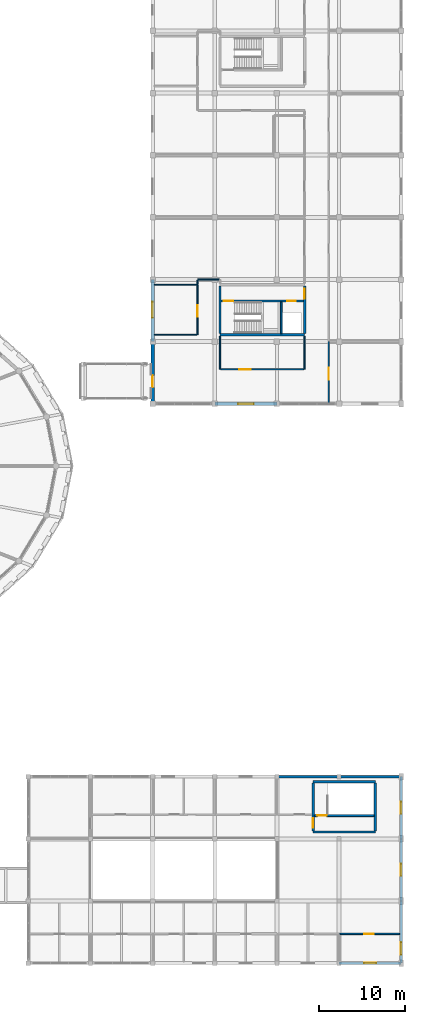
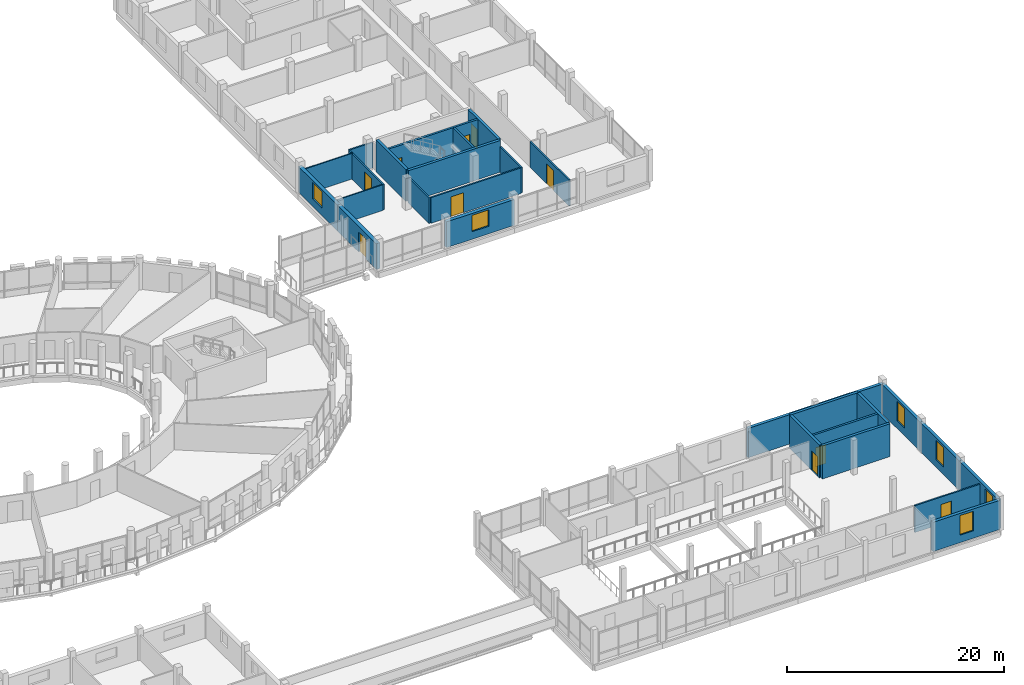
# One storey, part 117 of 128: 29 walls, 10 doors, 6 windows, 16 openings.
"""IFC4 building model written with IfcOpenShell, lengths in metres."""

from ifc_helpers import new_model, si_unit, direction, frame, frame_2d, origin, place, context, subcontext, project, spatial, rectangle, extrude, material, layer, layer_set, type_object, element, fill, save


model = new_model("IFC4")

# Units and contexts
model_context = context("Model", 3, precision=1e-05, world=origin(), true_north=direction((0.0, 1.0)))
body_context = subcontext(model_context, "Body", "Model", "MODEL_VIEW")
ifc_project = project(units=[si_unit("LENGTHUNIT", "METRE"), si_unit("AREAUNIT", "SQUARE_METRE"), si_unit("VOLUMEUNIT", "CUBIC_METRE"), si_unit("PLANEANGLEUNIT", "RADIAN"), si_unit("MASSUNIT", "GRAM", prefix="KILO")], contexts=[model_context])

# Site, building, storey
site_placement = place(None, origin())
site = spatial("IfcSite", under=ifc_project, at=site_placement, CompositionType="ELEMENT")
building_placement = place(site_placement, origin())
building = spatial("IfcBuilding", under=site, at=building_placement, Name="Zornivar Specialist Clinic", CompositionType="ELEMENT")
storey_placement = place(building_placement, frame((0.0, 0.0, 4.5)))
storey = spatial("IfcBuildingStorey", under=building, at=storey_placement, Name="L01", CompositionType="ELEMENT", Elevation=4.5)

# Wall, opening, window
ifc_material_1 = material(Name="Masonry Vratsa Limestone and Brick Banded Wall", Category="masonry")
ifc_layer_1 = layer(ifc_material_1, 0.3798828125)
ifc_layer_set_1 = layer_set([ifc_layer_1], Name="Masonry Vratsa Limestone and Brick Banded Wall")
wall_type_1 = type_object("IfcWallType", Name="EW-LIMESTONE-380", PredefinedType="SOLIDWALL", material=ifc_layer_set_1)
wall_1_placement = place(storey_placement, frame((144.0, 64.800048828125, 0.0), z_axis=(0.0, 0.0, 1.0), x_axis=(1.0, 0.0, 0.0)))
wall_1 = element("IfcWall", 1, at=wall_1_placement, inside=storey, type_object=wall_type_1, Name="ew:V6:L01:01", PredefinedType="SOLIDWALL", context=body_context, shape_type="SweptSolid", body=[
    extrude(rectangle(XDim=7.199951171875, YDim=0.3798828125, at=frame_2d((3.60009765625, 0.0))), origin(), (0.0, 0.0, 1.0), 2.909912109375),
])
opening_1_placement = place(wall_1_placement, frame((2.699951171875, 0.0, 0.85009765625)))
opening_1 = element("IfcOpeningElement", 2, at=opening_1_placement, cuts=wall_1, Name="Opening W-20", PredefinedType="OPENING", context=body_context, shape_type="SweptSolid", body=[
    extrude(rectangle(XDim=1.800048828125, YDim=1.85009765625, at=frame_2d((0.89990234375, 0.925048828125))), frame((0.0, 0.199951171875, 0.0), z_axis=(0.0, -1.0, 0.0), x_axis=(1.0, 0.0, 0.0)), (0.0, 0.0, 1.0), 0.39990234375),
])
ifc_material_2 = material(Name="Triple-Glazed Aluminium-Timber Window Glass", Category="wood")
window_type_1 = type_object("IfcWindowType", Name="WIN-LAB-LOWER-1800x1850", PartitioningType="SINGLE_PANEL", PredefinedType="WINDOW", material=ifc_material_2)
window_1_placement = place(opening_1_placement, origin())
window_1 = element("IfcWindow", 3, at=window_1_placement, inside=storey, type_object=window_type_1, Name="win:V6:L01:01", OverallHeight=1.85009765625, OverallWidth=1.800048828125, PartitioningType="SINGLE_PANEL", PredefinedType="WINDOW", context=body_context, shape_type="SweptSolid", body=[
    extrude(rectangle(XDim=1.800048828125, YDim=1.85009765625, at=frame_2d((0.89990234375, 0.925048828125))), frame((0.0, 0.030029296875, 0.0), z_axis=(0.0, -1.0, 0.0), x_axis=(1.0, 0.0, 0.0)), (0.0, 0.0, 1.0), 0.06005859375),
])
fill(opening_1, window_1)

wall_2_placement = place(storey_placement, frame((136.800048828125, 79.199951171875, 0.0), z_axis=(0.0, 0.0, 1.0), x_axis=(0.0, -1.0, 0.0)))
wall_2 = element("IfcWall", 4, at=wall_2_placement, inside=storey, type_object=wall_type_1, Name="ew:V6:L01:20", PredefinedType="SOLIDWALL", context=body_context, shape_type="SweptSolid", body=[
    extrude(rectangle(XDim=7.199951171875, YDim=0.3798828125, at=frame_2d((3.60009765625, 0.0))), origin(), (0.0, 0.0, 1.0), 2.909912109375),
])
opening_2_placement = place(wall_2_placement, frame((2.60009765625, 0.0, 0.85009765625)))
opening_2 = element("IfcOpeningElement", 5, at=opening_2_placement, cuts=wall_2, Name="Opening W-20", PredefinedType="OPENING", context=body_context, shape_type="SweptSolid", body=[
    extrude(rectangle(XDim=1.800048828125, YDim=1.85009765625, at=frame_2d((0.89990234375, 0.925048828125))), frame((0.0, 0.199951171875, 0.0), z_axis=(0.0, -1.0, 0.0), x_axis=(1.0, 0.0, 0.0)), (0.0, 0.0, 1.0), 0.39990234375),
])
window_2_placement = place(opening_2_placement, origin())
window_2 = element("IfcWindow", 6, at=window_2_placement, inside=storey, type_object=window_type_1, Name="win:V6:L01:20", OverallHeight=1.85009765625, OverallWidth=1.800048828125, PartitioningType="SINGLE_PANEL", PredefinedType="WINDOW", context=body_context, shape_type="SweptSolid", body=[
    extrude(rectangle(XDim=1.800048828125, YDim=1.85009765625, at=frame_2d((0.89990234375, 0.925048828125))), frame((0.0, 0.030029296875, 0.0), z_axis=(0.0, -1.0, 0.0), x_axis=(1.0, 0.0, 0.0)), (0.0, 0.0, 1.0), 0.06005859375),
])
fill(opening_2, window_2)

# Wall, opening, door
wall_3_placement = place(storey_placement, frame((136.800048828125, 72.0, 0.0), z_axis=(0.0, 0.0, 1.0), x_axis=(0.0, -1.0, 0.0)))
wall_3 = element("IfcWall", 7, at=wall_3_placement, inside=storey, type_object=wall_type_1, Name="ew:V6:L01:21", PredefinedType="SOLIDWALL", context=body_context, shape_type="SweptSolid", body=[
    extrude(rectangle(XDim=7.199951171875, YDim=0.3798828125, at=frame_2d((3.60009765625, 0.0))), origin(), (0.0, 0.0, 1.0), 2.909912109375),
])
opening_3_placement = place(wall_3_placement, frame((3.89990234375, 0.0, 0.0)))
opening_3 = element("IfcOpeningElement", 8, at=opening_3_placement, cuts=wall_3, Name="Opening TD-01", PredefinedType="OPENING", context=body_context, shape_type="SweptSolid", body=[
    extrude(rectangle(XDim=1.39990234375, YDim=2.25, at=frame_2d((0.699951171875, 1.125))), frame((0.0, 0.199951171875, 0.0), z_axis=(0.0, -1.0, 0.0), x_axis=(1.0, 0.0, 0.0)), (0.0, 0.0, 1.0), 0.39990234375),
])
ifc_material_3 = material(Name="Thermally Broken Glazed Aluminium Door", Category="aluminium")
door_type_1 = type_object("IfcDoorType", Name="TD-TERR-1400x2250", OperationType="NOTDEFINED", PredefinedType="DOOR", material=ifc_material_3)
door_1_placement = place(opening_3_placement, origin())
door_1 = element("IfcDoor", 9, at=door_1_placement, inside=storey, type_object=door_type_1, Name="door:V6:L01:br3", OperationType="SINGLE_SWING_RIGHT", OverallHeight=2.25, OverallWidth=1.39990234375, PredefinedType="DOOR", context=body_context, shape_type="SweptSolid", body=[
    extrude(rectangle(XDim=1.39990234375, YDim=2.25, at=frame_2d((0.699951171875, 1.125))), frame((0.0, 0.02490234375, 0.0), z_axis=(0.0, -1.0, 0.0), x_axis=(1.0, 0.0, 0.0)), (0.0, 0.0, 1.0), 0.050048828125),
])
fill(opening_3, door_1)

# Wall, opening, window
ifc_material_4 = material(Name="Masonry Healing Pavilion Coursed Limestone Wall", Category="masonry")
ifc_layer_2 = layer(ifc_material_4, 0.320068359375)
ifc_layer_set_2 = layer_set([ifc_layer_2], Name="Masonry Healing Pavilion Coursed Limestone Wall")
wall_type_2 = type_object("IfcWallType", Name="EW-PAV-320", PredefinedType="SOLIDWALL", material=ifc_layer_set_2)
wall_4_placement = place(storey_placement, frame((158.39990234375, 0.0, 0.0), z_axis=(0.0, 0.0, 1.0), x_axis=(1.0, 0.0, 0.0)))
wall_4 = element("IfcWall", 10, at=wall_4_placement, inside=storey, type_object=wall_type_2, Name="ew:V4:L01:05", PredefinedType="SOLIDWALL", context=body_context, shape_type="SweptSolid", body=[
    extrude(rectangle(XDim=7.2001953125, YDim=0.320068359375, at=frame_2d((3.60009765625, 0.0))), origin(), (0.0, 0.0, 1.0), 3.300048828125),
])
opening_4_placement = place(wall_4_placement, frame((2.89990234375, 0.0, 0.85009765625)))
opening_4 = element("IfcOpeningElement", 11, at=opening_4_placement, cuts=wall_4, Name="Opening W-15", PredefinedType="OPENING", context=body_context, shape_type="SweptSolid", body=[
    extrude(rectangle(XDim=1.39990234375, YDim=2.199951171875, at=frame_2d((0.699951171875, 1.10009765625))), frame((0.0, 0.169921875, 0.0), z_axis=(0.0, -1.0, 0.0), x_axis=(1.0, 0.0, 0.0)), (0.0, 0.0, 1.0), 0.340087890625),
])
ifc_material_5 = material(Name="Triple-Glazed Aluminium-Timber Window Glass", Category="wood")
window_type_2 = type_object("IfcWindowType", Name="WIN-PAV-GARDEN-1400x2200", PartitioningType="SINGLE_PANEL", PredefinedType="WINDOW", material=ifc_material_5)
window_3_placement = place(opening_4_placement, origin())
window_3 = element("IfcWindow", 12, at=window_3_placement, inside=storey, type_object=window_type_2, Name="win:V4:L01:05", OverallHeight=2.199951171875, OverallWidth=1.39990234375, PartitioningType="SINGLE_PANEL", PredefinedType="WINDOW", context=body_context, shape_type="SweptSolid", body=[
    extrude(rectangle(XDim=1.39990234375, YDim=2.199951171875, at=frame_2d((0.699951171875, 1.10009765625))), frame((0.0, 0.030029296875, 0.0), z_axis=(0.0, -1.0, 0.0), x_axis=(1.0, 0.0, 0.0)), (0.0, 0.0, 1.0), 0.06005859375),
])
fill(opening_4, window_3)

wall_5_placement = place(storey_placement, frame((165.60009765625, 0.0, 0.0), z_axis=(0.0, 0.0, 1.0), x_axis=(0.0, 1.0, 0.0)))
wall_5 = element("IfcWall", 13, at=wall_5_placement, inside=storey, type_object=wall_type_2, Name="ew:V4:L01:06", PredefinedType="SOLIDWALL", context=body_context, shape_type="SweptSolid", body=[
    extrude(rectangle(XDim=7.199951171875, YDim=0.320068359375, at=frame_2d((3.60009765625, 0.0))), origin(), (0.0, 0.0, 1.0), 3.300048828125),
])
opening_5_placement = place(wall_5_placement, frame((1.0, 0.0, 0.85009765625)))
opening_5 = element("IfcOpeningElement", 14, at=opening_5_placement, cuts=wall_5, Name="Opening W-15", PredefinedType="OPENING", context=body_context, shape_type="SweptSolid", body=[
    extrude(rectangle(XDim=1.39990234375, YDim=2.199951171875, at=frame_2d((0.699951171875, 1.10009765625))), frame((0.0, 0.169921875, 0.0), z_axis=(0.0, -1.0, 0.0), x_axis=(1.0, 0.0, 0.0)), (0.0, 0.0, 1.0), 0.340087890625),
])
window_4_placement = place(opening_5_placement, origin())
window_4 = element("IfcWindow", 15, at=window_4_placement, inside=storey, type_object=window_type_2, Name="win:V4:L01:06", OverallHeight=2.199951171875, OverallWidth=1.39990234375, PartitioningType="SINGLE_PANEL", PredefinedType="WINDOW", context=body_context, shape_type="SweptSolid", body=[
    extrude(rectangle(XDim=1.39990234375, YDim=2.199951171875, at=frame_2d((0.699951171875, 1.10009765625))), frame((0.0, 0.030029296875, 0.0), z_axis=(0.0, -1.0, 0.0), x_axis=(1.0, 0.0, 0.0)), (0.0, 0.0, 1.0), 0.06005859375),
])
fill(opening_5, window_4)

wall_6_placement = place(storey_placement, frame((165.60009765625, 7.199951171875, 0.0), z_axis=(0.0, 0.0, 1.0), x_axis=(0.0, 1.0, 0.0)))
wall_6 = element("IfcWall", 16, at=wall_6_placement, inside=storey, type_object=wall_type_2, Name="ew:V4:L01:07", PredefinedType="SOLIDWALL", context=body_context, shape_type="SweptSolid", body=[
    extrude(rectangle(XDim=7.199951171875, YDim=0.320068359375, at=frame_2d((3.60009765625, 0.0))), origin(), (0.0, 0.0, 1.0), 3.300048828125),
])
opening_6_placement = place(wall_6_placement, frame((2.89990234375, 0.0, 0.85009765625)))
opening_6 = element("IfcOpeningElement", 17, at=opening_6_placement, cuts=wall_6, Name="Opening W-15", PredefinedType="OPENING", context=body_context, shape_type="SweptSolid", body=[
    extrude(rectangle(XDim=1.39990234375, YDim=2.199951171875, at=frame_2d((0.699951171875, 1.10009765625))), frame((0.0, 0.169921875, 0.0), z_axis=(0.0, -1.0, 0.0), x_axis=(1.0, 0.0, 0.0)), (0.0, 0.0, 1.0), 0.340087890625),
])
window_5_placement = place(opening_6_placement, origin())
window_5 = element("IfcWindow", 18, at=window_5_placement, inside=storey, type_object=window_type_2, Name="win:V4:L01:07", OverallHeight=2.199951171875, OverallWidth=1.39990234375, PartitioningType="SINGLE_PANEL", PredefinedType="WINDOW", context=body_context, shape_type="SweptSolid", body=[
    extrude(rectangle(XDim=1.39990234375, YDim=2.199951171875, at=frame_2d((0.699951171875, 1.10009765625))), frame((0.0, 0.030029296875, 0.0), z_axis=(0.0, -1.0, 0.0), x_axis=(1.0, 0.0, 0.0)), (0.0, 0.0, 1.0), 0.06005859375),
])
fill(opening_6, window_5)

wall_7_placement = place(storey_placement, frame((165.60009765625, 14.39990234375, 0.0), z_axis=(0.0, 0.0, 1.0), x_axis=(0.0, 1.0, 0.0)))
wall_7 = element("IfcWall", 19, at=wall_7_placement, inside=storey, type_object=wall_type_2, Name="ew:V4:L01:08", PredefinedType="SOLIDWALL", context=body_context, shape_type="SweptSolid", body=[
    extrude(rectangle(XDim=7.2001953125, YDim=0.320068359375, at=frame_2d((3.60009765625, 0.0))), origin(), (0.0, 0.0, 1.0), 3.300048828125),
])
opening_7_placement = place(wall_7_placement, frame((2.89990234375, 0.0, 0.85009765625)))
opening_7 = element("IfcOpeningElement", 20, at=opening_7_placement, cuts=wall_7, Name="Opening W-15", PredefinedType="OPENING", context=body_context, shape_type="SweptSolid", body=[
    extrude(rectangle(XDim=1.39990234375, YDim=2.199951171875, at=frame_2d((0.699951171875, 1.10009765625))), frame((0.0, 0.169921875, 0.0), z_axis=(0.0, -1.0, 0.0), x_axis=(1.0, 0.0, 0.0)), (0.0, 0.0, 1.0), 0.340087890625),
])
window_6_placement = place(opening_7_placement, origin())
window_6 = element("IfcWindow", 21, at=window_6_placement, inside=storey, type_object=window_type_2, Name="win:V4:L01:08", OverallHeight=2.199951171875, OverallWidth=1.39990234375, PartitioningType="SINGLE_PANEL", PredefinedType="WINDOW", context=body_context, shape_type="SweptSolid", body=[
    extrude(rectangle(XDim=1.39990234375, YDim=2.199951171875, at=frame_2d((0.699951171875, 1.10009765625))), frame((0.0, 0.030029296875, 0.0), z_axis=(0.0, -1.0, 0.0), x_axis=(1.0, 0.0, 0.0)), (0.0, 0.0, 1.0), 0.06005859375),
])
fill(opening_7, window_6)

# Walls
wall_8_placement = place(storey_placement, frame((165.60009765625, 21.60009765625, 0.0), z_axis=(0.0, 0.0, 1.0), x_axis=(-1.0, 0.0, 0.0)))
element("IfcWall", 22, at=wall_8_placement, inside=storey, type_object=wall_type_2, Name="ew:V4:L01:09", PredefinedType="SOLIDWALL", context=body_context, shape_type="SweptSolid", body=[
    extrude(rectangle(XDim=7.2001953125, YDim=0.320068359375, at=frame_2d((3.60009765625, 0.0))), origin(), (0.0, 0.0, 1.0), 3.300048828125),
])
wall_9_placement = place(storey_placement, frame((158.39990234375, 21.60009765625, 0.0), z_axis=(0.0, 0.0, 1.0), x_axis=(-1.0, 0.0, 0.0)))
element("IfcWall", 23, at=wall_9_placement, inside=storey, type_object=wall_type_2, Name="ew:V4:L01:10", PredefinedType="SOLIDWALL", context=body_context, shape_type="SweptSolid", body=[
    extrude(rectangle(XDim=7.199951171875, YDim=0.320068359375, at=frame_2d((3.60009765625, 0.0))), origin(), (0.0, 0.0, 1.0), 3.300048828125),
])

# Wall, opening, door
ifc_material_6 = material(Name="Gypsum Fire-Rated Double Stud Partition")
ifc_layer_3 = layer(ifc_material_6, 0.159912109375)
ifc_layer_set_3 = layer_set([ifc_layer_3], Name="Gypsum Fire-Rated Double Stud Partition")
wall_type_3 = type_object("IfcWallType", Name="IW-CORR-EI60-160", PredefinedType="PARTITIONING", material=ifc_layer_set_3)
wall_10_placement = place(storey_placement, frame((158.48388671875, 3.39990234375, 0.0), z_axis=(0.0, 0.0, 1.0), x_axis=(1.0, 0.0, 0.0)))
wall_10 = element("IfcWall", 24, at=wall_10_placement, inside=storey, type_object=wall_type_3, Name="iw:L01:139", PredefinedType="PARTITIONING", context=body_context, shape_type="SweptSolid", body=[
    extrude(rectangle(XDim=6.941162109375, YDim=0.159912109375, at=frame_2d((3.470703125, 0.0))), origin(), (0.0, 0.0, 1.0), 3.030029296875),
])
opening_8_placement = place(wall_10_placement, frame((2.803955078125, 0.0, 0.0)))
opening_8 = element("IfcOpeningElement", 25, at=opening_8_placement, cuts=wall_10, Name="Opening ID-05", PredefinedType="OPENING", context=body_context, shape_type="SweptSolid", body=[
    extrude(rectangle(XDim=1.10009765625, YDim=2.199951171875, at=frame_2d((0.550048828125, 1.10009765625))), frame((0.0, 0.08984375, 0.0), z_axis=(0.0, -1.0, 0.0), x_axis=(1.0, 0.0, 0.0)), (0.0, 0.0, 1.0), 0.179931640625),
])
ifc_material_7 = material(Name="Solid-Core Hygienic Laminate Timber Door", Category="wood")
door_type_2 = type_object("IfcDoorType", Name="ID-THER-1100x2200", OperationType="NOTDEFINED", PredefinedType="DOOR", material=ifc_material_7)
door_2_placement = place(opening_8_placement, origin())
door_2 = element("IfcDoor", 26, at=door_2_placement, inside=storey, type_object=door_type_2, Name="door:space:V4:L01:rm:12", OperationType="SINGLE_SWING_RIGHT", OverallHeight=2.199951171875, OverallWidth=1.10009765625, PredefinedType="DOOR", context=body_context, shape_type="SweptSolid", body=[
    extrude(rectangle(XDim=1.10009765625, YDim=2.199951171875, at=frame_2d((0.550048828125, 1.10009765625))), frame((0.0, 0.02490234375, 0.0), z_axis=(0.0, -1.0, 0.0), x_axis=(1.0, 0.0, 0.0)), (0.0, 0.0, 1.0), 0.050048828125),
])
fill(opening_8, door_2)

# Walls
for number, where, z_axis, x_axis, name in (
    (27, (144.60009765625, 68.800048828125, 0.0), (0.0, 0.0, 1.0), (0.0, 1.0, 0.0), "iw:L01:156"),
    (28, (154.39990234375, 72.64501953125, 0.0), (0.0, 0.0, 1.0), (0.0, -1.0, 0.0), "iw:L01:157"),
):
    element("IfcWall", number, at=place(storey_placement, frame(where, z_axis=z_axis, x_axis=x_axis)), inside=storey, type_object=wall_type_3, Name=name, PredefinedType="PARTITIONING", context=body_context, shape_type="SweptSolid", body=[
        extrude(rectangle(XDim=3.844970703125, YDim=0.159912109375, at=frame_2d((1.92236328125, 0.0))), origin(), (0.0, 0.0, 1.0), 2.889892578125),
    ])

# Wall, opening, door
wall_11_placement = place(storey_placement, frame((154.305908203125, 68.800048828125, 0.0), z_axis=(0.0, 0.0, 1.0), x_axis=(-1.0, 0.0, 0.0)))
wall_11 = element("IfcWall", 29, at=wall_11_placement, inside=storey, type_object=wall_type_3, Name="iw:L01:158", PredefinedType="PARTITIONING", context=body_context, shape_type="SweptSolid", body=[
    extrude(rectangle(XDim=9.61181640625, YDim=0.159912109375, at=frame_2d((4.805908203125, 0.0))), origin(), (0.0, 0.0, 1.0), 2.889892578125),
])
opening_9_placement = place(wall_11_placement, frame((6.133056640625, 0.0, 0.0)))
opening_9 = element("IfcOpeningElement", 30, at=opening_9_placement, cuts=wall_11, Name="Opening ID-10", PredefinedType="OPENING", context=body_context, shape_type="SweptSolid", body=[
    extrude(rectangle(XDim=1.35009765625, YDim=2.25, at=frame_2d((0.675048828125, 1.125))), frame((0.0, 0.08984375, 0.0), z_axis=(0.0, -1.0, 0.0), x_axis=(1.0, 0.0, 0.0)), (0.0, 0.0, 1.0), 0.179931640625),
])
ifc_material_8 = material(Name="Solid-Core Hygienic Laminate Timber Door", Category="wood")
door_type_3 = type_object("IfcDoorType", Name="ID-TEACH-1350x2250", OperationType="NOTDEFINED", PredefinedType="DOOR", material=ifc_material_8)
door_3_placement = place(opening_9_placement, origin())
door_3 = element("IfcDoor", 31, at=door_3_placement, inside=storey, type_object=door_type_3, Name="door:space:V6:L01:rm:00", OperationType="SINGLE_SWING_LEFT", OverallHeight=2.25, OverallWidth=1.35009765625, PredefinedType="DOOR", context=body_context, shape_type="SweptSolid", body=[
    extrude(rectangle(XDim=1.35009765625, YDim=2.25, at=frame_2d((0.675048828125, 1.125))), frame((0.0, 0.02490234375, 0.0), z_axis=(0.0, -1.0, 0.0), x_axis=(1.0, 0.0, 0.0)), (0.0, 0.0, 1.0), 0.050048828125),
])
fill(opening_9, door_3)

wall_12_placement = place(storey_placement, frame((142.0, 78.52587890625, 0.0), z_axis=(0.0, 0.0, 1.0), x_axis=(0.0, -1.0, 0.0)))
wall_12 = element("IfcWall", 32, at=wall_12_placement, inside=storey, type_object=wall_type_3, Name="iw:L01:160", PredefinedType="PARTITIONING", context=body_context, shape_type="SweptSolid", body=[
    extrude(rectangle(XDim=5.725830078125, YDim=0.159912109375, at=frame_2d((2.86279296875, 0.0))), origin(), (0.0, 0.0, 1.0), 2.889892578125),
])
opening_10_placement = place(wall_12_placement, frame((2.302001953125, 0.0, 0.0)))
opening_10 = element("IfcOpeningElement", 33, at=opening_10_placement, cuts=wall_12, Name="Opening ID-10", PredefinedType="OPENING", context=body_context, shape_type="SweptSolid", body=[
    extrude(rectangle(XDim=1.35009765625, YDim=2.25, at=frame_2d((0.675048828125, 1.125))), frame((0.0, 0.08984375, 0.0), z_axis=(0.0, -1.0, 0.0), x_axis=(1.0, 0.0, 0.0)), (0.0, 0.0, 1.0), 0.179931640625),
])
door_4_placement = place(opening_10_placement, origin())
door_4 = element("IfcDoor", 34, at=door_4_placement, inside=storey, type_object=door_type_3, Name="door:space:V6:L01:rm:01", OperationType="SINGLE_SWING_RIGHT", OverallHeight=2.25, OverallWidth=1.35009765625, PredefinedType="DOOR", context=body_context, shape_type="SweptSolid", body=[
    extrude(rectangle(XDim=1.35009765625, YDim=2.25, at=frame_2d((0.675048828125, 1.125))), frame((0.0, 0.02490234375, 0.0), z_axis=(0.0, -1.0, 0.0), x_axis=(1.0, 0.0, 0.0)), (0.0, 0.0, 1.0), 0.050048828125),
])
fill(opening_10, door_4)

# Walls
wall_13_placement = place(storey_placement, frame((144.506103515625, 79.199951171875, 0.0), z_axis=(0.0, 0.0, 1.0), x_axis=(-1.0, 0.0, 0.0)))
element("IfcWall", 35, at=wall_13_placement, inside=storey, type_object=wall_type_3, Name="iw:L01:163", PredefinedType="PARTITIONING", context=body_context, shape_type="SweptSolid", body=[
    extrude(rectangle(XDim=2.506103515625, YDim=0.159912109375, at=frame_2d((1.2529296875, 0.0))), origin(), (0.0, 0.0, 1.0), 2.889892578125),
])
wall_14_placement = place(storey_placement, frame((142.0, 79.10595703125, 0.0), z_axis=(0.0, 0.0, 1.0), x_axis=(0.0, -1.0, 0.0)))
element("IfcWall", 36, at=wall_14_placement, inside=storey, type_object=wall_type_3, Name="iw:L01:164", PredefinedType="PARTITIONING", context=body_context, shape_type="SweptSolid", body=[
    extrude(rectangle(XDim=0.431884765625, YDim=0.159912109375, at=frame_2d((0.2158203125, 0.0))), origin(), (0.0, 0.0, 1.0), 2.889892578125),
])

# Wall, opening, door
wall_15_placement = place(storey_placement, frame((157.199951171875, 64.800048828125, 0.0), z_axis=(0.0, 0.0, 1.0), x_axis=(0.0, 1.0, 0.0)))
wall_15 = element("IfcWall", 37, at=wall_15_placement, inside=storey, type_object=wall_type_3, Name="iw:L01:183", PredefinedType="PARTITIONING", context=body_context, shape_type="SweptSolid", body=[
    extrude(rectangle(XDim=7.199951171875, YDim=0.159912109375, at=frame_2d((3.60009765625, 0.0))), origin(), (0.0, 0.0, 1.0), 2.889892578125),
])
opening_11_placement = place(wall_15_placement, frame((2.80908203125, 0.0, 0.0)))
opening_11 = element("IfcOpeningElement", 38, at=opening_11_placement, cuts=wall_15, Name="Opening ID-10", PredefinedType="OPENING", context=body_context, shape_type="SweptSolid", body=[
    extrude(rectangle(XDim=1.35009765625, YDim=2.25, at=frame_2d((0.675048828125, 1.125))), frame((0.0, 0.08984375, 0.0), z_axis=(0.0, -1.0, 0.0), x_axis=(1.0, 0.0, 0.0)), (0.0, 0.0, 1.0), 0.179931640625),
])
door_5_placement = place(opening_11_placement, origin())
door_5 = element("IfcDoor", 39, at=door_5_placement, inside=storey, type_object=door_type_3, Name="door:space:V6:L01:rm:08", OperationType="SINGLE_SWING_LEFT", OverallHeight=2.25, OverallWidth=1.35009765625, PredefinedType="DOOR", context=body_context, shape_type="SweptSolid", body=[
    extrude(rectangle(XDim=1.35009765625, YDim=2.25, at=frame_2d((0.675048828125, 1.125))), frame((0.0, 0.02490234375, 0.0), z_axis=(0.0, -1.0, 0.0), x_axis=(1.0, 0.0, 0.0)), (0.0, 0.0, 1.0), 0.050048828125),
])
fill(opening_11, door_5)

# Walls
ifc_material_9 = material(Name="Acoustic Glazed Consultation Partition")
ifc_layer_4 = layer(ifc_material_9, 0.1201171875)
ifc_layer_set_4 = layer_set([ifc_layer_4], Name="Acoustic Glazed Consultation Partition")
wall_type_4 = type_object("IfcWallType", Name="IW-GLAZ-120", PredefinedType="PARTITIONING", material=ifc_layer_set_4)
wall_16_placement = place(storey_placement, frame((137.0048828125, 78.60009765625, 0.0), z_axis=(0.0, 0.0, 1.0), x_axis=(1.0, 0.0, 0.0)))
element("IfcWall", 40, at=wall_16_placement, inside=storey, type_object=wall_type_4, Name="iw:L01:159", PredefinedType="PARTITIONING", context=body_context, shape_type="SweptSolid", body=[
    extrude(rectangle(XDim=4.9951171875, YDim=0.1201171875, at=frame_2d((2.49755859375, 0.0))), origin(), (0.0, 0.0, 1.0), 2.889892578125),
])
wall_17_placement = place(storey_placement, frame((141.906005859375, 72.800048828125, 0.0), z_axis=(0.0, 0.0, 1.0), x_axis=(-1.0, 0.0, 0.0)))
element("IfcWall", 41, at=wall_17_placement, inside=storey, type_object=wall_type_4, Name="iw:L01:161", PredefinedType="PARTITIONING", context=body_context, shape_type="SweptSolid", body=[
    extrude(rectangle(XDim=4.901123046875, YDim=0.1201171875, at=frame_2d((2.45068359375, 0.0))), origin(), (0.0, 0.0, 1.0), 2.889892578125),
])
ifc_material_10 = material(Name="Concrete C35/45", Category="concrete")
ifc_layer_5 = layer(ifc_material_10, 0.280029296875)
ifc_layer_set_5 = layer_set([ifc_layer_5], Name="Concrete C35/45")
wall_type_5 = type_object("IfcWallType", Name="SW-CORE-280", PredefinedType="SHEAR", material=ifc_layer_set_5)
wall_18_placement = place(storey_placement, frame((155.39990234375, 15.199951171875, 0.0), z_axis=(0.0, 0.0, 1.0), x_axis=(1.0, 0.0, 0.0)))
element("IfcWall", 42, at=wall_18_placement, inside=storey, type_object=wall_type_5, Name="sw:C6:L01:w0", PredefinedType="SHEAR", context=body_context, shape_type="SweptSolid", body=[
    extrude(rectangle(XDim=7.2001953125, YDim=0.280029296875, at=frame_2d((3.60009765625, 0.0))), origin(), (0.0, 0.0, 1.0), 3.7099609375),
])
wall_19_placement = place(storey_placement, frame((162.60009765625, 15.340087890625, 0.0), z_axis=(0.0, 0.0, 1.0), x_axis=(0.0, 1.0, 0.0)))
element("IfcWall", 43, at=wall_19_placement, inside=storey, type_object=wall_type_5, Name="sw:C6:L01:w1", PredefinedType="SHEAR", context=body_context, shape_type="SweptSolid", body=[
    extrude(rectangle(XDim=5.52001953125, YDim=0.280029296875, at=frame_2d((2.760009765625, 0.0))), origin(), (0.0, 0.0, 1.0), 3.7099609375),
])
wall_20_placement = place(storey_placement, frame((162.60009765625, 21.0, 0.0), z_axis=(0.0, 0.0, 1.0), x_axis=(-1.0, 0.0, 0.0)))
element("IfcWall", 44, at=wall_20_placement, inside=storey, type_object=wall_type_5, Name="sw:C6:L01:w2", PredefinedType="SHEAR", context=body_context, shape_type="SweptSolid", body=[
    extrude(rectangle(XDim=7.2001953125, YDim=0.280029296875, at=frame_2d((3.60009765625, 0.0))), origin(), (0.0, 0.0, 1.0), 3.7099609375),
])

# Wall, opening, door
wall_21_placement = place(storey_placement, frame((155.39990234375, 20.860107421875, 0.0), z_axis=(0.0, 0.0, 1.0), x_axis=(0.0, -1.0, 0.0)))
wall_21 = element("IfcWall", 45, at=wall_21_placement, inside=storey, type_object=wall_type_5, Name="sw:C6:L01:w3", PredefinedType="SHEAR", context=body_context, shape_type="SweptSolid", body=[
    extrude(rectangle(XDim=5.52001953125, YDim=0.280029296875, at=frame_2d((2.760009765625, 0.0))), origin(), (0.0, 0.0, 1.0), 3.7099609375),
])
opening_12_placement = place(wall_21_placement, frame((4.050048828125, 0.0, 0.0)))
opening_12 = element("IfcOpeningElement", 46, at=opening_12_placement, cuts=wall_21, Name="Opening FD-03", PredefinedType="OPENING", context=body_context, shape_type="SweptSolid", body=[
    extrude(rectangle(XDim=1.14990234375, YDim=2.199951171875, at=frame_2d((0.574951171875, 1.10009765625))), frame((0.0, 0.14990234375, 0.0), z_axis=(0.0, -1.0, 0.0), x_axis=(1.0, 0.0, 0.0)), (0.0, 0.0, 1.0), 0.300048828125),
])
ifc_material_11 = material(Name="Solid-Core Hygienic Laminate Timber Door", Category="wood")
door_type_4 = type_object("IfcDoorType", Name="FD-LOBBY-UPPER-1150x2200", OperationType="NOTDEFINED", PredefinedType="DOOR", material=ifc_material_11)
door_6_placement = place(opening_12_placement, origin())
door_6 = element("IfcDoor", 47, at=door_6_placement, inside=storey, type_object=door_type_4, Name="door:C6:L01:lob", OperationType="SINGLE_SWING_RIGHT", OverallHeight=2.199951171875, OverallWidth=1.14990234375, PredefinedType="DOOR", context=body_context, shape_type="SweptSolid", body=[
    extrude(rectangle(XDim=1.14990234375, YDim=2.199951171875, at=frame_2d((0.574951171875, 1.10009765625))), frame((0.0, 0.02490234375, 0.0), z_axis=(0.0, -1.0, 0.0), x_axis=(1.0, 0.0, 0.0)), (0.0, 0.0, 1.0), 0.050048828125),
])
fill(opening_12, door_6)

# Wall
wall_22_placement = place(storey_placement, frame((144.60009765625, 72.800048828125, 0.0), z_axis=(0.0, 0.0, 1.0), x_axis=(1.0, 0.0, 0.0)))
element("IfcWall", 48, at=wall_22_placement, inside=storey, type_object=wall_type_5, Name="sw:C9:L01:w0", PredefinedType="SHEAR", context=body_context, shape_type="SweptSolid", body=[
    extrude(rectangle(XDim=9.7998046875, YDim=0.280029296875, at=frame_2d((4.89990234375, 0.0))), origin(), (0.0, 0.0, 1.0), 3.580078125),
])

# Wall, opening, door
wall_23_placement = place(storey_placement, frame((154.39990234375, 72.93994140625, 0.0), z_axis=(0.0, 0.0, 1.0), x_axis=(0.0, 1.0, 0.0)))
wall_23 = element("IfcWall", 49, at=wall_23_placement, inside=storey, type_object=wall_type_5, Name="sw:C9:L01:w1", PredefinedType="SHEAR", context=body_context, shape_type="SweptSolid", body=[
    extrude(rectangle(XDim=5.52001953125, YDim=0.280029296875, at=frame_2d((2.760009765625, 0.0))), origin(), (0.0, 0.0, 1.0), 3.580078125),
])
opening_13_placement = place(wall_23_placement, frame((4.050048828125, 0.0, 0.0)))
opening_13 = element("IfcOpeningElement", 50, at=opening_13_placement, cuts=wall_23, Name="Opening FD-03", PredefinedType="OPENING", context=body_context, shape_type="SweptSolid", body=[
    extrude(rectangle(XDim=1.14990234375, YDim=2.199951171875, at=frame_2d((0.574951171875, 1.10009765625))), frame((0.0, 0.14990234375, 0.0), z_axis=(0.0, -1.0, 0.0), x_axis=(1.0, 0.0, 0.0)), (0.0, 0.0, 1.0), 0.300048828125),
])
door_7_placement = place(opening_13_placement, origin())
door_7 = element("IfcDoor", 51, at=door_7_placement, inside=storey, type_object=door_type_4, Name="door:C9:L01:lob", OperationType="SINGLE_SWING_RIGHT", OverallHeight=2.199951171875, OverallWidth=1.14990234375, PredefinedType="DOOR", context=body_context, shape_type="SweptSolid", body=[
    extrude(rectangle(XDim=1.14990234375, YDim=2.199951171875, at=frame_2d((0.574951171875, 1.10009765625))), frame((0.0, 0.02490234375, 0.0), z_axis=(0.0, -1.0, 0.0), x_axis=(1.0, 0.0, 0.0)), (0.0, 0.0, 1.0), 0.050048828125),
])
fill(opening_13, door_7)

# Walls
wall_24_placement = place(storey_placement, frame((144.60009765625, 78.4599609375, 0.0), z_axis=(0.0, 0.0, 1.0), x_axis=(0.0, -1.0, 0.0)))
element("IfcWall", 52, at=wall_24_placement, inside=storey, type_object=wall_type_5, Name="sw:C9:L01:w3", PredefinedType="SHEAR", context=body_context, shape_type="SweptSolid", body=[
    extrude(rectangle(XDim=5.52001953125, YDim=0.280029296875, at=frame_2d((2.760009765625, 0.0))), origin(), (0.0, 0.0, 1.0), 3.580078125),
])
ifc_material_12 = material(Name="Concrete C30/37", Category="concrete")
ifc_layer_6 = layer(ifc_material_12, 0.199951171875)
ifc_layer_set_6 = layer_set([ifc_layer_6], Name="Concrete C30/37")
wall_type_6 = type_object("IfcWallType", Name="SW-LIFT-200", PredefinedType="SHEAR", material=ifc_layer_set_6)
wall_25_placement = place(storey_placement, frame((151.699951171875, 72.93994140625, 0.0), z_axis=(0.0, 0.0, 1.0), x_axis=(0.0, 1.0, 0.0)))
element("IfcWall", 53, at=wall_25_placement, inside=storey, type_object=wall_type_6, Name="sw:C9:L01:sdiv", PredefinedType="SHEAR", context=body_context, shape_type="SweptSolid", body=[
    extrude(rectangle(XDim=3.66015625, YDim=0.199951171875, at=frame_2d((1.830078125, 0.0))), origin(), (0.0, 0.0, 1.0), 3.580078125),
])

# Wall, opening, door
ifc_material_13 = material(Name="Concrete C30/37", Category="concrete")
ifc_layer_7 = layer(ifc_material_13, 0.219970703125)
ifc_layer_set_7 = layer_set([ifc_layer_7], Name="Concrete C30/37")
wall_type_7 = type_object("IfcWallType", Name="SW-SHAFT-220", PredefinedType="SHEAR", material=ifc_layer_set_7)
wall_26_placement = place(storey_placement, frame((155.5400390625, 17.090087890625, 0.0), z_axis=(0.0, 0.0, 1.0), x_axis=(1.0, 0.0, 0.0)))
wall_26 = element("IfcWall", 54, at=wall_26_placement, inside=storey, type_object=wall_type_7, Name="sw:C6:L01:stwall", PredefinedType="SHEAR", context=body_context, shape_type="SweptSolid", body=[
    extrude(rectangle(XDim=6.919921875, YDim=0.219970703125, at=frame_2d((3.4599609375, 0.0))), origin(), (0.0, 0.0, 1.0), 3.7099609375),
])
opening_14_placement = place(wall_26_placement, frame((0.31005859375, 0.0, 0.0)))
opening_14 = element("IfcOpeningElement", 55, at=opening_14_placement, cuts=wall_26, Name="Opening FD-02", PredefinedType="OPENING", context=body_context, shape_type="SweptSolid", body=[
    extrude(rectangle(XDim=1.10009765625, YDim=2.14990234375, at=frame_2d((0.550048828125, 1.074951171875))), frame((0.0, 0.119873046875, 0.0), z_axis=(0.0, -1.0, 0.0), x_axis=(1.0, 0.0, 0.0)), (0.0, 0.0, 1.0), 0.239990234375),
])
ifc_material_14 = material(Name="Solid-Core Hygienic Laminate Timber Door", Category="wood")
door_type_5 = type_object("IfcDoorType", Name="FD-STAIR-1100x2150", OperationType="NOTDEFINED", PredefinedType="DOOR", material=ifc_material_14)
door_8_placement = place(opening_14_placement, origin())
door_8 = element("IfcDoor", 56, at=door_8_placement, inside=storey, type_object=door_type_5, Name="door:C6:L01:stair", OperationType="SINGLE_SWING_LEFT", OverallHeight=2.14990234375, OverallWidth=1.10009765625, PredefinedType="DOOR", context=body_context, shape_type="SweptSolid", body=[
    extrude(rectangle(XDim=1.10009765625, YDim=2.14990234375, at=frame_2d((0.550048828125, 1.074951171875))), frame((0.0, 0.02490234375, 0.0), z_axis=(0.0, -1.0, 0.0), x_axis=(1.0, 0.0, 0.0)), (0.0, 0.0, 1.0), 0.050048828125),
])
fill(opening_14, door_8)

# Wall, openings, doors
wall_27_placement = place(storey_placement, frame((144.739990234375, 76.7099609375, 0.0), z_axis=(0.0, 0.0, 1.0), x_axis=(1.0, 0.0, 0.0)))
wall_27 = element("IfcWall", 57, at=wall_27_placement, inside=storey, type_object=wall_type_7, Name="sw:C9:L01:stwall", PredefinedType="SHEAR", context=body_context, shape_type="SweptSolid", body=[
    extrude(rectangle(XDim=9.52001953125, YDim=0.219970703125, at=frame_2d((4.760009765625, 0.0))), origin(), (0.0, 0.0, 1.0), 3.580078125),
])
opening_15_placement = place(wall_27_placement, frame((0.31005859375, 0.0, 0.0)))
opening_15 = element("IfcOpeningElement", 58, at=opening_15_placement, cuts=wall_27, Name="Opening FD-02", PredefinedType="OPENING", context=body_context, shape_type="SweptSolid", body=[
    extrude(rectangle(XDim=1.10009765625, YDim=2.14990234375, at=frame_2d((0.550048828125, 1.074951171875))), frame((0.0, 0.119873046875, 0.0), z_axis=(0.0, -1.0, 0.0), x_axis=(1.0, 0.0, 0.0)), (0.0, 0.0, 1.0), 0.239990234375),
])
opening_16_placement = place(wall_27_placement, frame((7.659912109375, 0.0, 0.0)))
opening_16 = element("IfcOpeningElement", 59, at=opening_16_placement, cuts=wall_27, Name="Opening LD-02", PredefinedType="OPENING", context=body_context, shape_type="SweptSolid", body=[
    extrude(rectangle(XDim=1.0, YDim=2.199951171875, at=frame_2d((0.5, 1.10009765625))), frame((0.0, 0.119873046875, 0.0), z_axis=(0.0, -1.0, 0.0), x_axis=(1.0, 0.0, 0.0)), (0.0, 0.0, 1.0), 0.239990234375),
])
door_9_placement = place(opening_15_placement, origin())
door_9 = element("IfcDoor", 60, at=door_9_placement, inside=storey, type_object=door_type_5, Name="door:C9:L01:stair", OperationType="SINGLE_SWING_LEFT", OverallHeight=2.14990234375, OverallWidth=1.10009765625, PredefinedType="DOOR", context=body_context, shape_type="SweptSolid", body=[
    extrude(rectangle(XDim=1.10009765625, YDim=2.14990234375, at=frame_2d((0.550048828125, 1.074951171875))), frame((0.0, 0.02490234375, 0.0), z_axis=(0.0, -1.0, 0.0), x_axis=(1.0, 0.0, 0.0)), (0.0, 0.0, 1.0), 0.050048828125),
])
fill(opening_15, door_9)
ifc_material_15 = material(Name="Stainless Steel Lift Landing Sliding Door", Category="steel")
door_type_6 = type_object("IfcDoorType", Name="LD-LIFT-1000x2200", OperationType="NOTDEFINED", PredefinedType="DOOR", material=ifc_material_15)
door_10_placement = place(opening_16_placement, origin())
door_10 = element("IfcDoor", 61, at=door_10_placement, inside=storey, type_object=door_type_6, Name="door:C9:L01:lift", OperationType="DOUBLE_DOOR_SLIDING", OverallHeight=2.199951171875, OverallWidth=1.0, PredefinedType="DOOR", context=body_context, shape_type="SweptSolid", body=[
    extrude(rectangle(XDim=1.0, YDim=2.199951171875, at=frame_2d((0.5, 1.10009765625))), frame((0.0, 0.02490234375, 0.0), z_axis=(0.0, -1.0, 0.0), x_axis=(1.0, 0.0, 0.0)), (0.0, 0.0, 1.0), 0.050048828125),
])
fill(opening_16, door_10)

save(model, "model.ifc")
